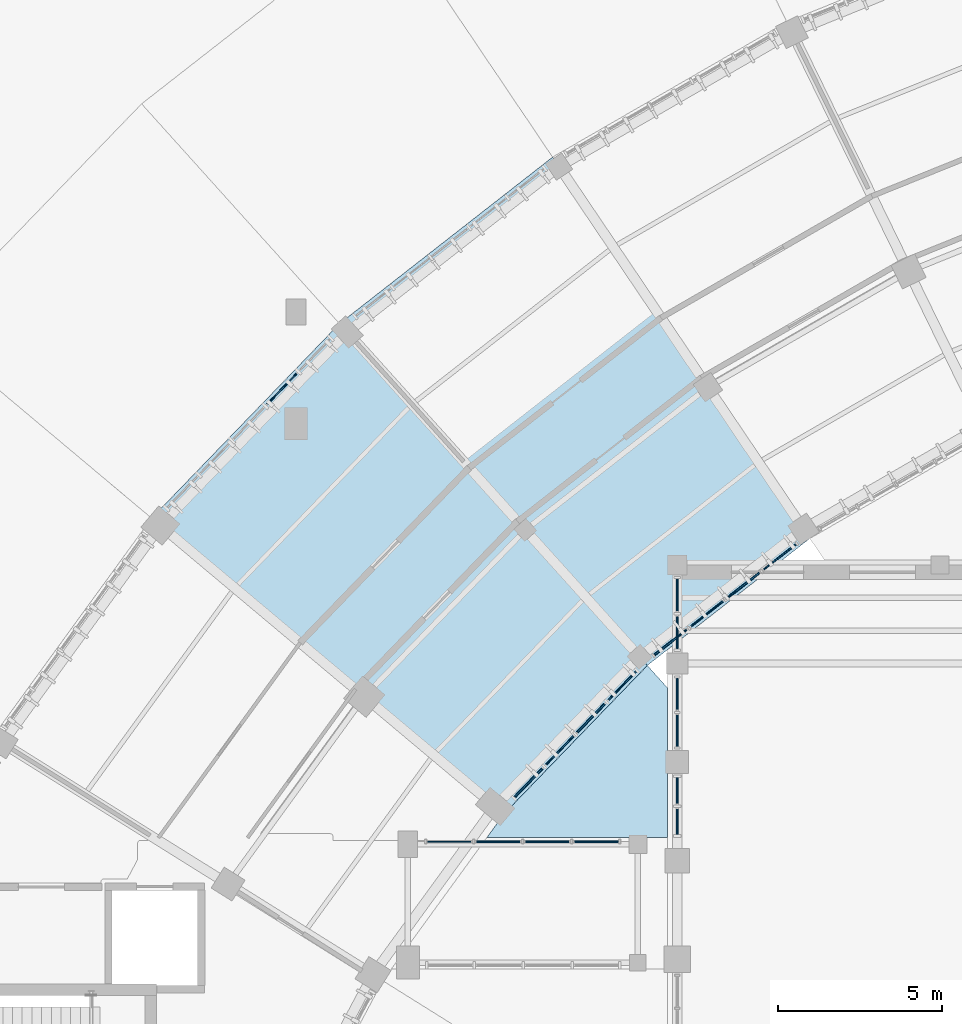
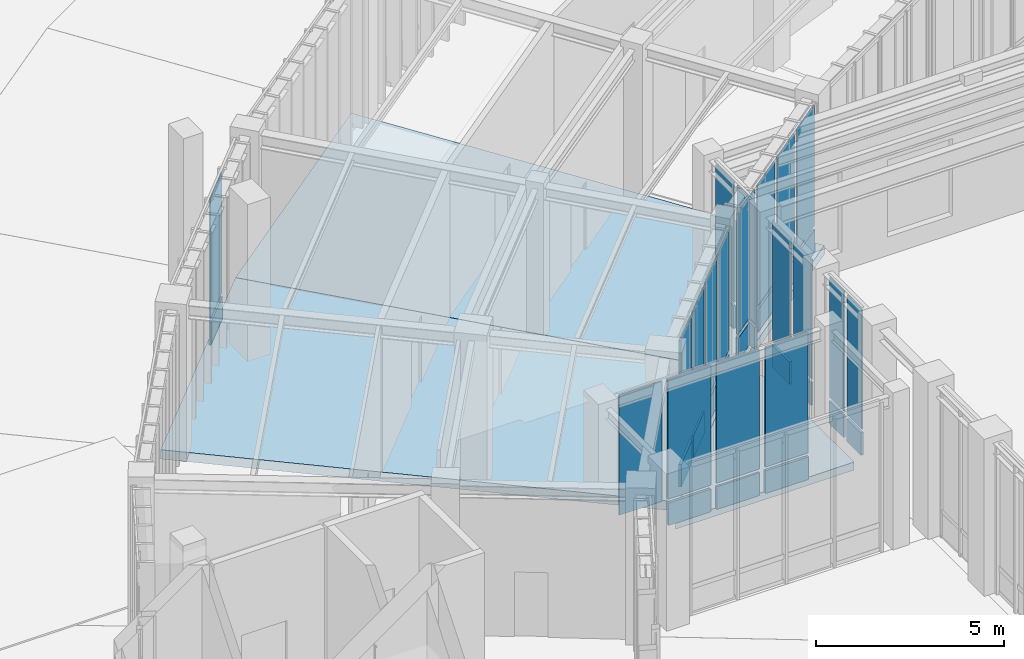
# One storey, part 23 of 68: 37 plates, 3 slabs, 7 elements without a shape of their own.
"""IFC4 building model written with IfcOpenShell, lengths in metres."""

from ifc_helpers import new_model, si_unit, direction, frame, origin, origin_2d, place, context, subcontext, project, spatial, polyline, rectangle, outline, extrude, material, layer, layer_set, type_object, element, aggregate, save


model = new_model("IFC4")

# Units and contexts
model_context = context("Model", 3, precision=1e-05, world=origin(), true_north=direction((0.0, 1.0)))
body_context = subcontext(model_context, "Body", "Model", "MODEL_VIEW")
ifc_project = project(units=[si_unit("LENGTHUNIT", "METRE"), si_unit("AREAUNIT", "SQUARE_METRE"), si_unit("VOLUMEUNIT", "CUBIC_METRE"), si_unit("PLANEANGLEUNIT", "RADIAN"), si_unit("MASSUNIT", "GRAM", prefix="KILO"), si_unit("THERMODYNAMICTEMPERATUREUNIT", "KELVIN"), si_unit("POWERUNIT", "WATT")], contexts=[model_context])

# Site, building, storey
site_placement = place(None, origin())
site = spatial("IfcSite", under=ifc_project, at=site_placement, CompositionType="ELEMENT")
building_placement = place(site_placement, origin())
building = spatial("IfcBuilding", under=site, at=building_placement, Name="Solvatero Civic Police Headquarters", CompositionType="ELEMENT")
storey_placement = place(building_placement, origin())
storey = spatial("IfcBuildingStorey", under=building, at=storey_placement, Name="L00", CompositionType="ELEMENT", Elevation=0.0)

# Curtain wall, plates
ifc_material_1 = material(Name="Anodized Bronze Aluminium", Category="aluminium")
ifc_layer_1 = layer(ifc_material_1, 0.179931640625)
ifc_layer_set_1 = layer_set([ifc_layer_1], Name="Anodized Bronze Aluminium")
curtain_wall_type_1 = type_object("IfcCurtainWallType", Name="CW-ARC-IN", PredefinedType="USERDEFINED", material=ifc_layer_set_1)
curtain_wall_1_placement = place(storey_placement, origin())
curtain_wall_1 = element("IfcCurtainWall", 1, at=curtain_wall_1_placement, inside=storey, type_object=curtain_wall_type_1, Name="Curtain Wall CW-R2-L00-ARC-IN-B06", ObjectType="UNITISED", PredefinedType="USERDEFINED")
ifc_material_2 = material(Name="Triple Low-E Laminated Glass", Category="glass")
ifc_layer_2 = layer(ifc_material_2, 0.0380859375)
ifc_layer_set_2 = layer_set([ifc_layer_2], Name="Triple Low-E Laminated Glass")
plate_type_1 = type_object("IfcPlateType", Name="CWP-GLZ-38", PredefinedType="CURTAIN_PANEL", material=ifc_layer_set_2)
plate_1_placement = place(storey_placement, frame((67.9208984375, 62.743408203125, 0.91015625), z_axis=(0.0, 0.0, 1.0), x_axis=(-0.788010753607, -0.615661475326, 0.0)))
plate_1 = element("IfcPlate", 2, at=plate_1_placement, type_object=plate_type_1, Name="CW-R2-L00-ARC-IN-B06 Vision Glazing 1", PredefinedType="CURTAIN_PANEL", context=body_context, shape_type="SweptSolid", body=[
    extrude(rectangle(XDim=1.2255859375, YDim=0.0380859375, at=origin_2d()), origin(), (0.0, 0.0, 1.0), 3.909912109375),
])
plate_2_placement = place(storey_placement, frame((65.705810546875, 61.0126953125, 0.91015625), z_axis=(0.0, 0.0, 1.0), x_axis=(-0.788010753607, -0.615661475326, 0.0)))
plate_2 = element("IfcPlate", 3, at=plate_2_placement, type_object=plate_type_1, Name="CW-R2-L00-ARC-IN-B06 Vision Glazing 3", PredefinedType="CURTAIN_PANEL", context=body_context, shape_type="SweptSolid", body=[
    extrude(rectangle(XDim=1.2255859375, YDim=0.0380859375, at=origin_2d()), origin(), (0.0, 0.0, 1.0), 3.909912109375),
])

# Curtain wall, plate
ifc_layer_3 = layer(ifc_material_1, 0.179931640625)
ifc_layer_set_3 = layer_set([ifc_layer_3], Name="Anodized Bronze Aluminium")
curtain_wall_type_2 = type_object("IfcCurtainWallType", Name="CW-ARC-OUT", PredefinedType="USERDEFINED", material=ifc_layer_set_3)
curtain_wall_2_placement = place(storey_placement, origin())
curtain_wall_2 = element("IfcCurtainWall", 4, at=curtain_wall_2_placement, inside=storey, type_object=curtain_wall_type_2, Name="Curtain Wall CW-R2-L00-ARC-OUT-B07", ObjectType="UNITISED", PredefinedType="USERDEFINED")
plate_3_placement = place(storey_placement, frame((52.768310546875, 67.85791015625, 0.91015625), z_axis=(0.0, 0.0, 1.0), x_axis=(-0.694658370459, -0.719339800339, 0.0)))
plate_3 = element("IfcPlate", 5, at=plate_3_placement, type_object=plate_type_1, Name="CW-R2-L00-ARC-OUT-B07 Vision Glazing 2", PredefinedType="CURTAIN_PANEL", context=body_context, shape_type="SweptSolid", body=[
    extrude(rectangle(XDim=1.275390625, YDim=0.0380859375, at=origin_2d()), origin(), (0.0, 0.0, 1.0), 3.909912109375),
])

# Curtain wall, plates
curtain_wall_3_placement = place(storey_placement, origin())
curtain_wall_3 = element("IfcCurtainWall", 6, at=curtain_wall_3_placement, inside=storey, type_object=curtain_wall_type_1, Name="Curtain Wall CW-R2-L00-ARC-IN-B07", ObjectType="UNITISED", PredefinedType="USERDEFINED")
plate_4_placement = place(storey_placement, frame((63.1259765625, 58.823486328125, 0.91015625), z_axis=(0.0, 0.0, 1.0), x_axis=(-0.694658370459, -0.719339800339, 0.0)))
plate_4 = element("IfcPlate", 7, at=plate_4_placement, type_object=plate_type_1, Name="CW-R2-L00-ARC-IN-B07 Vision Glazing 1", PredefinedType="CURTAIN_PANEL", context=body_context, shape_type="SweptSolid", body=[
    extrude(rectangle(XDim=1.18798828125, YDim=0.0380859375, at=origin_2d()), origin(), (0.0, 0.0, 1.0), 3.909912109375),
])
plate_5_placement = place(storey_placement, frame((61.225341796875, 56.85546875, 0.91015625), z_axis=(0.0, 0.0, 1.0), x_axis=(-0.694658370459, -0.719339800339, 0.0)))
plate_5 = element("IfcPlate", 8, at=plate_5_placement, type_object=plate_type_1, Name="CW-R2-L00-ARC-IN-B07 Vision Glazing 3", PredefinedType="CURTAIN_PANEL", context=body_context, shape_type="SweptSolid", body=[
    extrude(rectangle(XDim=1.18798828125, YDim=0.0380859375, at=origin_2d()), origin(), (0.0, 0.0, 1.0), 3.909912109375),
])

# Curtain wall, plate
ifc_layer_4 = layer(ifc_material_1, 0.179931640625)
ifc_layer_set_4 = layer_set([ifc_layer_4], Name="Anodized Bronze Aluminium")
curtain_wall_type_3 = type_object("IfcCurtainWallType", Name="CW-HAL-GLZ", PredefinedType="USERDEFINED", material=ifc_layer_set_4)
curtain_wall_4_placement = place(storey_placement, origin())
curtain_wall_4 = element("IfcCurtainWall", 9, at=curtain_wall_4_placement, inside=storey, type_object=curtain_wall_type_3, Name="Curtain Wall CW-R2-L00-V2-W-B5", ObjectType="UNITISED", PredefinedType="USERDEFINED")
plate_6_placement = place(storey_placement, frame((64.800048828125, 55.635009765625, 0.91015625), z_axis=(0.0, 0.0, 1.0), x_axis=(0.0, 1.0, 0.0)))
plate_6 = element("IfcPlate", 10, at=plate_6_placement, type_object=plate_type_1, Name="CW-R2-L00-V2-W-B5 Vision Glazing 2", PredefinedType="CURTAIN_PANEL", context=body_context, shape_type="SweptSolid", body=[
    extrude(rectangle(XDim=0.77001953125, YDim=0.0380859375, at=origin_2d()), origin(), (0.0, 0.0, 1.0), 3.889892578125),
])

curtain_wall_5_placement = place(storey_placement, origin())
curtain_wall_5 = element("IfcCurtainWall", 11, at=curtain_wall_5_placement, inside=storey, type_object=curtain_wall_type_3, Name="Curtain Wall CW-R2-L00-V2-W-B6", ObjectType="UNITISED", PredefinedType="USERDEFINED")
plate_7_placement = place(storey_placement, frame((64.800048828125, 57.451416015625, 0.91015625), z_axis=(0.0, 0.0, 1.0), x_axis=(0.0, 1.0, 0.0)))
plate_7 = element("IfcPlate", 12, at=plate_7_placement, type_object=plate_type_1, Name="CW-R2-L00-V2-W-B6 Vision Glazing 1", PredefinedType="CURTAIN_PANEL", context=body_context, shape_type="SweptSolid", body=[
    extrude(rectangle(XDim=0.9423828125, YDim=0.0380859375, at=origin_2d()), origin(), (0.0, 0.0, 1.0), 3.889892578125),
])

curtain_wall_6_placement = place(storey_placement, origin())
curtain_wall_6 = element("IfcCurtainWall", 13, at=curtain_wall_6_placement, inside=storey, type_object=curtain_wall_type_3, Name="Curtain Wall CW-R2-L00-V2-W-B7", ObjectType="UNITISED", PredefinedType="USERDEFINED")
plate_8_placement = place(storey_placement, frame((64.800048828125, 61.586181640625, 0.91015625), z_axis=(0.0, 0.0, 1.0), x_axis=(0.0, 1.0, 0.0)))
plate_8 = element("IfcPlate", 14, at=plate_8_placement, type_object=plate_type_1, Name="CW-R2-L00-V2-W-B7 Vision Glazing 2", PredefinedType="CURTAIN_PANEL", context=body_context, shape_type="SweptSolid", body=[
    extrude(rectangle(XDim=0.967529296875, YDim=0.0380859375, at=origin_2d()), origin(), (0.0, 0.0, 1.0), 3.889892578125),
])

# Curtain wall, plates
ifc_layer_5 = layer(ifc_material_1, 0.179931640625)
ifc_layer_set_5 = layer_set([ifc_layer_5], Name="Anodized Bronze Aluminium")
curtain_wall_type_4 = type_object("IfcCurtainWallType", Name="CW-SB-GLZ", PredefinedType="USERDEFINED", material=ifc_layer_set_5)
curtain_wall_7_placement = place(storey_placement, origin())
curtain_wall_7 = element("IfcCurtainWall", 15, at=curtain_wall_7_placement, inside=storey, type_object=curtain_wall_type_4, Name="Curtain Wall CW-R2-L00-V2LK-N", ObjectType="UNITISED", PredefinedType="USERDEFINED")
plate_9_placement = place(storey_placement, frame((57.857421875, 54.080078125, 0.91015625), z_axis=(0.0, 0.0, 1.0), x_axis=(1.0, 0.0, 0.0)))
plate_9 = element("IfcPlate", 16, at=plate_9_placement, type_object=plate_type_1, Name="CW-R2-L00-V2LK-N Vision Glazing 1", PredefinedType="CURTAIN_PANEL", context=body_context, shape_type="SweptSolid", body=[
    extrude(rectangle(XDim=1.31494140625, YDim=0.0380859375, at=origin_2d()), origin(), (0.0, 0.0, 1.0), 3.889892578125),
])
plate_10_placement = place(storey_placement, frame((60.847412109375, 54.080078125, 0.91015625), z_axis=(0.0, 0.0, 1.0), x_axis=(1.0, 0.0, 0.0)))
plate_10 = element("IfcPlate", 17, at=plate_10_placement, type_object=plate_type_1, Name="CW-R2-L00-V2LK-N Vision Glazing 3", PredefinedType="CURTAIN_PANEL", context=body_context, shape_type="SweptSolid", body=[
    extrude(rectangle(XDim=1.31494140625, YDim=0.0380859375, at=origin_2d()), origin(), (0.0, 0.0, 1.0), 3.889892578125),
])

# Plate
ifc_material_3 = material(Name="Acoustic Ballistic Laminated Glass", Category="glass")
ifc_layer_6 = layer(ifc_material_3, 0.0439453125)
ifc_layer_set_6 = layer_set([ifc_layer_6], Name="Acoustic Ballistic Laminated Glass")
plate_type_2 = type_object("IfcPlateType", Name="CWP-GLZ-44", PredefinedType="CURTAIN_PANEL", material=ifc_layer_set_6)
plate_11_placement = place(storey_placement, frame((66.813232421875, 61.8779296875, 0.91015625), z_axis=(0.0, 0.0, 1.0), x_axis=(-0.788010753607, -0.615661475326, 0.0)))
plate_11 = element("IfcPlate", 18, at=plate_11_placement, type_object=plate_type_2, Name="CW-R2-L00-ARC-IN-B06 Vision Glazing 2", PredefinedType="CURTAIN_PANEL", context=body_context, shape_type="SweptSolid", body=[
    extrude(rectangle(XDim=1.2255859375, YDim=0.0439453125, at=origin_2d()), origin(), (0.0, 0.0, 1.0), 3.909912109375),
])

plate_12_placement = place(storey_placement, frame((64.59814453125, 60.147216796875, 0.91015625), z_axis=(0.0, 0.0, 1.0), x_axis=(-0.788010753607, -0.615661475326, 0.0)))
plate_12 = element("IfcPlate", 19, at=plate_12_placement, type_object=plate_type_2, Name="CW-R2-L00-ARC-IN-B06 Vision Glazing 4", PredefinedType="CURTAIN_PANEL", context=body_context, shape_type="SweptSolid", body=[
    extrude(rectangle(XDim=1.2255859375, YDim=0.0439453125, at=origin_2d()), origin(), (0.0, 0.0, 1.0), 3.909912109375),
])

plate_13_placement = place(storey_placement, frame((62.17578125, 57.839599609375, 0.91015625), z_axis=(0.0, 0.0, 1.0), x_axis=(-0.694658370459, -0.719339800339, 0.0)))
plate_13 = element("IfcPlate", 20, at=plate_13_placement, type_object=plate_type_2, Name="CW-R2-L00-ARC-IN-B07 Vision Glazing 2", PredefinedType="CURTAIN_PANEL", context=body_context, shape_type="SweptSolid", body=[
    extrude(rectangle(XDim=1.18798828125, YDim=0.0439453125, at=origin_2d()), origin(), (0.0, 0.0, 1.0), 3.909912109375),
])

plate_14_placement = place(storey_placement, frame((60.275146484375, 55.87158203125, 0.91015625), z_axis=(0.0, 0.0, 1.0), x_axis=(-0.694658370459, -0.719339800339, 0.0)))
plate_14 = element("IfcPlate", 21, at=plate_14_placement, type_object=plate_type_2, Name="CW-R2-L00-ARC-IN-B07 Vision Glazing 4", PredefinedType="CURTAIN_PANEL", context=body_context, shape_type="SweptSolid", body=[
    extrude(rectangle(XDim=1.18798828125, YDim=0.0439453125, at=origin_2d()), origin(), (0.0, 0.0, 1.0), 3.909912109375),
])

plate_15_placement = place(storey_placement, frame((64.800048828125, 54.68505859375, 0.91015625), z_axis=(0.0, 0.0, 1.0), x_axis=(0.0, 1.0, 0.0)))
plate_15 = element("IfcPlate", 22, at=plate_15_placement, type_object=plate_type_2, Name="CW-R2-L00-V2-W-B5 Vision Glazing 1", PredefinedType="CURTAIN_PANEL", context=body_context, shape_type="SweptSolid", body=[
    extrude(rectangle(XDim=0.77001953125, YDim=0.0439453125, at=origin_2d()), origin(), (0.0, 0.0, 1.0), 3.889892578125),
])

plate_16_placement = place(storey_placement, frame((64.800048828125, 58.57373046875, 0.91015625), z_axis=(0.0, 0.0, 1.0), x_axis=(0.0, 1.0, 0.0)))
plate_16 = element("IfcPlate", 23, at=plate_16_placement, type_object=plate_type_2, Name="CW-R2-L00-V2-W-B6 Vision Glazing 2", PredefinedType="CURTAIN_PANEL", context=body_context, shape_type="SweptSolid", body=[
    extrude(rectangle(XDim=0.9423828125, YDim=0.0439453125, at=origin_2d()), origin(), (0.0, 0.0, 1.0), 3.889892578125),
])

plate_17_placement = place(storey_placement, frame((64.800048828125, 60.438720703125, 0.91015625), z_axis=(0.0, 0.0, 1.0), x_axis=(0.0, 1.0, 0.0)))
plate_17 = element("IfcPlate", 24, at=plate_17_placement, type_object=plate_type_2, Name="CW-R2-L00-V2-W-B7 Vision Glazing 1", PredefinedType="CURTAIN_PANEL", context=body_context, shape_type="SweptSolid", body=[
    extrude(rectangle(XDim=0.967529296875, YDim=0.0439453125, at=origin_2d()), origin(), (0.0, 0.0, 1.0), 3.889892578125),
])

plate_18_placement = place(storey_placement, frame((59.3525390625, 54.080078125, 0.91015625), z_axis=(0.0, 0.0, 1.0), x_axis=(1.0, 0.0, 0.0)))
plate_18 = element("IfcPlate", 25, at=plate_18_placement, type_object=plate_type_2, Name="CW-R2-L00-V2LK-N Vision Glazing 2", PredefinedType="CURTAIN_PANEL", context=body_context, shape_type="SweptSolid", body=[
    extrude(rectangle(XDim=1.31494140625, YDim=0.0439453125, at=origin_2d()), origin(), (0.0, 0.0, 1.0), 3.889892578125),
])

plate_19_placement = place(storey_placement, frame((62.342529296875, 54.080078125, 0.91015625), z_axis=(0.0, 0.0, 1.0), x_axis=(1.0, 0.0, 0.0)))
plate_19 = element("IfcPlate", 26, at=plate_19_placement, type_object=plate_type_2, Name="CW-R2-L00-V2LK-N Vision Glazing 4", PredefinedType="CURTAIN_PANEL", context=body_context, shape_type="SweptSolid", body=[
    extrude(rectangle(XDim=1.31494140625, YDim=0.0439453125, at=origin_2d()), origin(), (0.0, 0.0, 1.0), 3.889892578125),
])

ifc_material_4 = material(Name="Insulated Bronze Aluminium Spandrel", Category="aluminium")
ifc_layer_7 = layer(ifc_material_4, 0.06005859375)
ifc_layer_set_7 = layer_set([ifc_layer_7], Name="Insulated Bronze Aluminium Spandrel")
plate_type_3 = type_object("IfcPlateType", Name="CWP-SPN-60", PredefinedType="CURTAIN_PANEL", material=ifc_layer_set_7)
plate_20_placement = place(storey_placement, frame((67.9208984375, 62.743408203125, 0.06005859375), z_axis=(0.0, 0.0, 1.0), x_axis=(-0.788010753607, -0.615661475326, 0.0)))
plate_20 = element("IfcPlate", 27, at=plate_20_placement, type_object=plate_type_3, Name="CW-R2-L00-ARC-IN-B06 Spandrel Panel 1", PredefinedType="CURTAIN_PANEL", context=body_context, shape_type="SweptSolid", body=[
    extrude(rectangle(XDim=1.2255859375, YDim=0.06005859375, at=origin_2d()), origin(), (0.0, 0.0, 1.0), 0.72998046875),
])

plate_21_placement = place(storey_placement, frame((65.705810546875, 61.0126953125, 0.06005859375), z_axis=(0.0, 0.0, 1.0), x_axis=(-0.788010753607, -0.615661475326, 0.0)))
plate_21 = element("IfcPlate", 28, at=plate_21_placement, type_object=plate_type_3, Name="CW-R2-L00-ARC-IN-B06 Spandrel Panel 3", PredefinedType="CURTAIN_PANEL", context=body_context, shape_type="SweptSolid", body=[
    extrude(rectangle(XDim=1.2255859375, YDim=0.06005859375, at=origin_2d()), origin(), (0.0, 0.0, 1.0), 0.72998046875),
])

plate_22_placement = place(storey_placement, frame((52.768310546875, 67.85791015625, 0.06005859375), z_axis=(0.0, 0.0, 1.0), x_axis=(-0.694658370459, -0.719339800339, 0.0)))
plate_22 = element("IfcPlate", 29, at=plate_22_placement, type_object=plate_type_3, Name="CW-R2-L00-ARC-OUT-B07 Spandrel Panel 2", PredefinedType="CURTAIN_PANEL", context=body_context, shape_type="SweptSolid", body=[
    extrude(rectangle(XDim=1.275390625, YDim=0.06005859375, at=origin_2d()), origin(), (0.0, 0.0, 1.0), 0.72998046875),
])

aggregate(curtain_wall_2, [plate_22, plate_3])

plate_23_placement = place(storey_placement, frame((63.1259765625, 58.823486328125, 0.06005859375), z_axis=(0.0, 0.0, 1.0), x_axis=(-0.694658370459, -0.719339800339, 0.0)))
plate_23 = element("IfcPlate", 30, at=plate_23_placement, type_object=plate_type_3, Name="CW-R2-L00-ARC-IN-B07 Spandrel Panel 1", PredefinedType="CURTAIN_PANEL", context=body_context, shape_type="SweptSolid", body=[
    extrude(rectangle(XDim=1.18798828125, YDim=0.06005859375, at=origin_2d()), origin(), (0.0, 0.0, 1.0), 0.72998046875),
])

plate_24_placement = place(storey_placement, frame((61.225341796875, 56.85546875, 0.06005859375), z_axis=(0.0, 0.0, 1.0), x_axis=(-0.694658370459, -0.719339800339, 0.0)))
plate_24 = element("IfcPlate", 31, at=plate_24_placement, type_object=plate_type_3, Name="CW-R2-L00-ARC-IN-B07 Spandrel Panel 3", PredefinedType="CURTAIN_PANEL", context=body_context, shape_type="SweptSolid", body=[
    extrude(rectangle(XDim=1.18798828125, YDim=0.06005859375, at=origin_2d()), origin(), (0.0, 0.0, 1.0), 0.72998046875),
])

plate_25_placement = place(storey_placement, frame((64.800048828125, 55.635009765625, 0.06005859375), z_axis=(0.0, 0.0, 1.0), x_axis=(0.0, 1.0, 0.0)))
plate_25 = element("IfcPlate", 32, at=plate_25_placement, type_object=plate_type_3, Name="CW-R2-L00-V2-W-B5 Spandrel Panel 2", PredefinedType="CURTAIN_PANEL", context=body_context, shape_type="SweptSolid", body=[
    extrude(rectangle(XDim=0.77001953125, YDim=0.06005859375, at=origin_2d()), origin(), (0.0, 0.0, 1.0), 0.72998046875),
])

plate_26_placement = place(storey_placement, frame((64.800048828125, 57.451416015625, 0.06005859375), z_axis=(0.0, 0.0, 1.0), x_axis=(0.0, 1.0, 0.0)))
plate_26 = element("IfcPlate", 33, at=plate_26_placement, type_object=plate_type_3, Name="CW-R2-L00-V2-W-B6 Spandrel Panel 1", PredefinedType="CURTAIN_PANEL", context=body_context, shape_type="SweptSolid", body=[
    extrude(rectangle(XDim=0.9423828125, YDim=0.06005859375, at=origin_2d()), origin(), (0.0, 0.0, 1.0), 0.72998046875),
])

plate_27_placement = place(storey_placement, frame((64.800048828125, 61.586181640625, 0.06005859375), z_axis=(0.0, 0.0, 1.0), x_axis=(0.0, 1.0, 0.0)))
plate_27 = element("IfcPlate", 34, at=plate_27_placement, type_object=plate_type_3, Name="CW-R2-L00-V2-W-B7 Spandrel Panel 2", PredefinedType="CURTAIN_PANEL", context=body_context, shape_type="SweptSolid", body=[
    extrude(rectangle(XDim=0.967529296875, YDim=0.06005859375, at=origin_2d()), origin(), (0.0, 0.0, 1.0), 0.72998046875),
])

plate_28_placement = place(storey_placement, frame((60.847412109375, 54.080078125, 0.06005859375), z_axis=(0.0, 0.0, 1.0), x_axis=(1.0, 0.0, 0.0)))
plate_28 = element("IfcPlate", 35, at=plate_28_placement, type_object=plate_type_3, Name="CW-R2-L00-V2LK-N Spandrel Panel 3", PredefinedType="CURTAIN_PANEL", context=body_context, shape_type="SweptSolid", body=[
    extrude(rectangle(XDim=1.31494140625, YDim=0.06005859375, at=origin_2d()), origin(), (0.0, 0.0, 1.0), 0.72998046875),
])

ifc_material_5 = material(Name="Limestone Veneer Spandrel Panel", Category="masonry")
ifc_layer_8 = layer(ifc_material_5, 0.074951171875)
ifc_layer_set_8 = layer_set([ifc_layer_8], Name="Limestone Veneer Spandrel Panel")
plate_type_4 = type_object("IfcPlateType", Name="CWP-SPN-75", PredefinedType="CURTAIN_PANEL", material=ifc_layer_set_8)
plate_29_placement = place(storey_placement, frame((66.813232421875, 61.8779296875, 0.06005859375), z_axis=(0.0, 0.0, 1.0), x_axis=(-0.788010753607, -0.615661475326, 0.0)))
plate_29 = element("IfcPlate", 36, at=plate_29_placement, type_object=plate_type_4, Name="CW-R2-L00-ARC-IN-B06 Spandrel Panel 2", PredefinedType="CURTAIN_PANEL", context=body_context, shape_type="SweptSolid", body=[
    extrude(rectangle(XDim=1.2255859375, YDim=0.074951171875, at=origin_2d()), origin(), (0.0, 0.0, 1.0), 0.72998046875),
])

plate_30_placement = place(storey_placement, frame((64.59814453125, 60.147216796875, 0.06005859375), z_axis=(0.0, 0.0, 1.0), x_axis=(-0.788010753607, -0.615661475326, 0.0)))
plate_30 = element("IfcPlate", 37, at=plate_30_placement, type_object=plate_type_4, Name="CW-R2-L00-ARC-IN-B06 Spandrel Panel 4", PredefinedType="CURTAIN_PANEL", context=body_context, shape_type="SweptSolid", body=[
    extrude(rectangle(XDim=1.2255859375, YDim=0.074951171875, at=origin_2d()), origin(), (0.0, 0.0, 1.0), 0.72998046875),
])

aggregate(curtain_wall_1, [plate_20, plate_1, plate_29, plate_11, plate_21, plate_2, plate_30, plate_12])

plate_31_placement = place(storey_placement, frame((62.17578125, 57.839599609375, 0.06005859375), z_axis=(0.0, 0.0, 1.0), x_axis=(-0.694658370459, -0.719339800339, 0.0)))
plate_31 = element("IfcPlate", 38, at=plate_31_placement, type_object=plate_type_4, Name="CW-R2-L00-ARC-IN-B07 Spandrel Panel 2", PredefinedType="CURTAIN_PANEL", context=body_context, shape_type="SweptSolid", body=[
    extrude(rectangle(XDim=1.18798828125, YDim=0.074951171875, at=origin_2d()), origin(), (0.0, 0.0, 1.0), 0.72998046875),
])

plate_32_placement = place(storey_placement, frame((60.275146484375, 55.87158203125, 0.06005859375), z_axis=(0.0, 0.0, 1.0), x_axis=(-0.694658370459, -0.719339800339, 0.0)))
plate_32 = element("IfcPlate", 39, at=plate_32_placement, type_object=plate_type_4, Name="CW-R2-L00-ARC-IN-B07 Spandrel Panel 4", PredefinedType="CURTAIN_PANEL", context=body_context, shape_type="SweptSolid", body=[
    extrude(rectangle(XDim=1.18798828125, YDim=0.074951171875, at=origin_2d()), origin(), (0.0, 0.0, 1.0), 0.72998046875),
])

aggregate(curtain_wall_3, [plate_23, plate_4, plate_31, plate_13, plate_24, plate_5, plate_32, plate_14])

plate_33_placement = place(storey_placement, frame((64.800048828125, 54.68505859375, 0.06005859375), z_axis=(0.0, 0.0, 1.0), x_axis=(0.0, 1.0, 0.0)))
plate_33 = element("IfcPlate", 40, at=plate_33_placement, type_object=plate_type_4, Name="CW-R2-L00-V2-W-B5 Spandrel Panel 1", PredefinedType="CURTAIN_PANEL", context=body_context, shape_type="SweptSolid", body=[
    extrude(rectangle(XDim=0.77001953125, YDim=0.074951171875, at=origin_2d()), origin(), (0.0, 0.0, 1.0), 0.72998046875),
])

aggregate(curtain_wall_4, [plate_33, plate_15, plate_25, plate_6])

plate_34_placement = place(storey_placement, frame((64.800048828125, 58.57373046875, 0.06005859375), z_axis=(0.0, 0.0, 1.0), x_axis=(0.0, 1.0, 0.0)))
plate_34 = element("IfcPlate", 41, at=plate_34_placement, type_object=plate_type_4, Name="CW-R2-L00-V2-W-B6 Spandrel Panel 2", PredefinedType="CURTAIN_PANEL", context=body_context, shape_type="SweptSolid", body=[
    extrude(rectangle(XDim=0.9423828125, YDim=0.074951171875, at=origin_2d()), origin(), (0.0, 0.0, 1.0), 0.72998046875),
])

aggregate(curtain_wall_5, [plate_26, plate_7, plate_34, plate_16])

plate_35_placement = place(storey_placement, frame((64.800048828125, 60.438720703125, 0.06005859375), z_axis=(0.0, 0.0, 1.0), x_axis=(0.0, 1.0, 0.0)))
plate_35 = element("IfcPlate", 42, at=plate_35_placement, type_object=plate_type_4, Name="CW-R2-L00-V2-W-B7 Spandrel Panel 1", PredefinedType="CURTAIN_PANEL", context=body_context, shape_type="SweptSolid", body=[
    extrude(rectangle(XDim=0.967529296875, YDim=0.074951171875, at=origin_2d()), origin(), (0.0, 0.0, 1.0), 0.72998046875),
])

aggregate(curtain_wall_6, [plate_35, plate_17, plate_27, plate_8])

plate_36_placement = place(storey_placement, frame((59.3525390625, 54.080078125, 0.06005859375), z_axis=(0.0, 0.0, 1.0), x_axis=(1.0, 0.0, 0.0)))
plate_36 = element("IfcPlate", 43, at=plate_36_placement, type_object=plate_type_4, Name="CW-R2-L00-V2LK-N Spandrel Panel 2", PredefinedType="CURTAIN_PANEL", context=body_context, shape_type="SweptSolid", body=[
    extrude(rectangle(XDim=1.31494140625, YDim=0.074951171875, at=origin_2d()), origin(), (0.0, 0.0, 1.0), 0.72998046875),
])

plate_37_placement = place(storey_placement, frame((62.342529296875, 54.080078125, 0.06005859375), z_axis=(0.0, 0.0, 1.0), x_axis=(1.0, 0.0, 0.0)))
plate_37 = element("IfcPlate", 44, at=plate_37_placement, type_object=plate_type_4, Name="CW-R2-L00-V2LK-N Spandrel Panel 4", PredefinedType="CURTAIN_PANEL", context=body_context, shape_type="SweptSolid", body=[
    extrude(rectangle(XDim=1.31494140625, YDim=0.074951171875, at=origin_2d()), origin(), (0.0, 0.0, 1.0), 0.72998046875),
])

aggregate(curtain_wall_7, [plate_9, plate_36, plate_18, plate_28, plate_10, plate_37, plate_19])

# Slabs
ifc_material_6 = material(Name="Concrete C40/50", Category="concrete")
ifc_layer_9 = layer(ifc_material_6, 0.300048828125)
ifc_layer_set_9 = layer_set([ifc_layer_9], Name="Concrete C40/50")
slab_type_1 = type_object("IfcSlabType", Name="SLB-RC-300", PredefinedType="FLOOR", material=ifc_layer_set_9)
slab_1_placement = place(storey_placement, frame((0.0, 0.0, -0.300048828125)))
element("IfcSlab", 45, at=slab_1_placement, inside=storey, type_object=slab_type_1, Name="L00 Operations Arc Floor Slab Bay 6", PredefinedType="FLOOR", context=body_context, shape_type="SweptSolid", body=[
    extrude(outline(polyline([(61.006103515625, 74.912109375), (68.834716796875, 63.305419921875), (63.88916015625, 59.44140625), (54.521240234375, 69.845458984375), (61.006103515625, 74.912109375)])), origin(), (0.0, 0.0, 1.0), 0.300048828125),
])
slab_2_placement = place(storey_placement, frame((0.0, 0.0, -0.300048828125)))
element("IfcSlab", 46, at=slab_2_placement, inside=storey, type_object=slab_type_1, Name="L00 Operations Arc Floor Slab Bay 7", PredefinedType="FLOOR", context=body_context, shape_type="SweptSolid", body=[
    extrude(outline(polyline([(54.52001953125, 69.843994140625), (63.8876953125, 59.440185546875), (59.528076171875, 54.92529296875), (48.803466796875, 63.924560546875), (54.52001953125, 69.843994140625)])), origin(), (0.0, 0.0, 1.0), 0.300048828125),
])
ifc_material_7 = material(Name="Concrete C35/45", Category="concrete")
ifc_layer_10 = layer(ifc_material_7, 0.260009765625)
ifc_layer_set_10 = layer_set([ifc_layer_10], Name="Concrete C35/45")
slab_type_2 = type_object("IfcSlabType", Name="SLB-TERR-260", PredefinedType="FLOOR", material=ifc_layer_set_10)
slab_3_placement = place(storey_placement, frame((0.0, 0.0, -0.260009765625)))
element("IfcSlab", 47, at=slab_3_placement, inside=storey, type_object=slab_type_2, Name="L00 Walkable roof terrace slab SLB-L00-CRIN-B07", PredefinedType="FLOOR", context=body_context, shape_type="SweptSolid", body=[
    extrude(outline(polyline([(64.498046875, 58.765380859375), (64.498046875, 54.201904296875), (59.0048828125, 54.201904296875), (59.529541015625, 54.924072265625), (63.890380859375, 59.43994140625), (64.498046875, 58.765380859375)])), origin(), (0.0, 0.0, 1.0), 0.260009765625),
])

save(model, "model.ifc")
